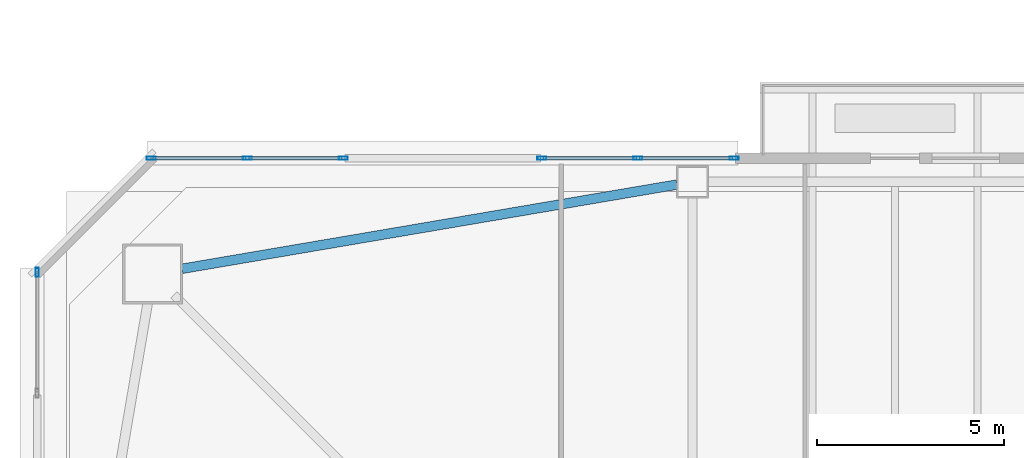
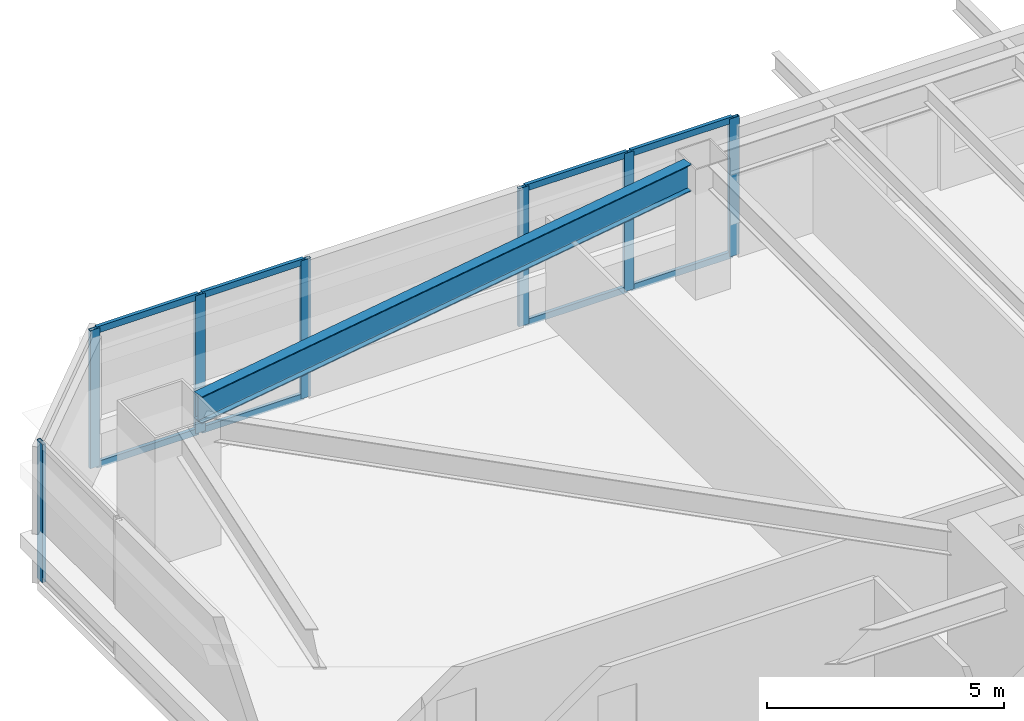
# One storey, part 15 of 51: 15 members, 1 beam, 3 elements without a shape of their own.
"""IFC4 building model written with IfcOpenShell, lengths in metres."""

from ifc_helpers import new_model, si_unit, direction, frame, origin, origin_2d, place, context, subcontext, project, spatial, hollow_rectangle, i_section, extrude, material, material_profile, profile_set, type_object, element, aggregate, save


model = new_model("IFC4")

# Units and contexts
model_context = context("Model", 3, precision=1e-05, world=origin(), true_north=direction((0.0, 1.0)))
body_context = subcontext(model_context, "Body", "Model", "MODEL_VIEW")
ifc_project = project(units=[si_unit("LENGTHUNIT", "METRE"), si_unit("AREAUNIT", "SQUARE_METRE"), si_unit("VOLUMEUNIT", "CUBIC_METRE"), si_unit("PLANEANGLEUNIT", "RADIAN"), si_unit("MASSUNIT", "GRAM", prefix="KILO")], contexts=[model_context])

# Site, building, storey
site_placement = place(None, origin())
site = spatial("IfcSite", under=ifc_project, at=site_placement, CompositionType="ELEMENT")
building_placement = place(site_placement, origin())
building = spatial("IfcBuilding", under=site, at=building_placement, Name="Tashvorn Skyway Center", CompositionType="ELEMENT")
storey_placement = place(building_placement, frame((0.0, 0.0, 49.449951171875)))
storey = spatial("IfcBuildingStorey", under=building, at=storey_placement, Name="L12", CompositionType="ELEMENT", Elevation=49.449951171875)

# Beam
ifc_material_1 = material(Name="Steel ASTM A992 Grade 50", Category="steel")
ifc_material_profile_1 = material_profile(ifc_material_1, i_section(OverallWidth=0.256103515625, OverallDepth=0.693115234375, WebThickness=0.014404296875, FlangeThickness=0.023681640625, at=origin_2d()), Name="W27X114")
ifc_profile_set_1 = profile_set([ifc_material_profile_1], Name="Steel ASTM A992 Grade 50")
beam_type = type_object("IfcBeamType", Name="BM-SPANDREL-W27X114", PredefinedType="SPANDREL", material=ifc_profile_set_1)
beam_placement = place(storey_placement, frame((36.18603515625, 54.179443359375, 3.003662109375), z_axis=(-0.985835025551, -0.16771792509, 0.0), x_axis=(0.16771792509, -0.985835025551, 0.0)))
element("IfcBeam", 1, at=beam_placement, inside=storey, type_object=beam_type, Name="Tower 1 L12 Spandrel Beam 09", PredefinedType="SPANDREL", context=body_context, shape_type="SweptSolid", body=[
    extrude(i_section(OverallWidth=0.256103515625, OverallDepth=0.693115234375, WebThickness=0.014404296875, FlangeThickness=0.023681640625, at=origin_2d()), origin(), (0.0, 0.0, 1.0), 13.39208984375),
])

# Curtain wall, member
ifc_material_2 = material(Name="Thermally broken bronze-anodized aluminium 6063-T6", Category="aluminium")
curtain_wall_type = type_object("IfcCurtainWallType", Name="CW-CW-Z1", PredefinedType="NOTDEFINED", material=ifc_material_2)
curtain_wall_1_placement = place(storey_placement, origin())
curtain_wall_1 = element("IfcCurtainWall", 2, at=curtain_wall_1_placement, inside=storey, type_object=curtain_wall_type, Name="Tower 1 L12 West Unitised Curtain Wall Glazing Group 3", PredefinedType="NOTDEFINED")
ifc_material_profile_2 = material_profile(ifc_material_2, hollow_rectangle(XDim=0.0849609375, YDim=0.239990234375, WallThickness=0.0048828125, at=origin_2d()), Name="ALU-MULL-85x240")
ifc_profile_set_2 = profile_set([ifc_material_profile_2], Name="Thermally broken bronze-anodized aluminium 6063-T6")
member_type_1 = type_object("IfcMemberType", Name="CWM-CW-Z1", PredefinedType="MULLION", material=ifc_profile_set_2)
member_1_placement = place(storey_placement, frame((19.1201171875, 51.83740234375, 0.0), z_axis=(0.0, 0.0, 1.0), x_axis=(-1.0, 0.0, 0.0)))
member_1 = element("IfcMember", 3, at=member_1_placement, type_object=member_type_1, Name="CW-Z1 mullion 2", PredefinedType="MULLION", context=body_context, shape_type="SweptSolid", body=[
    extrude(hollow_rectangle(XDim=0.0849609375, YDim=0.239990234375, WallThickness=0.0048828125, at=origin_2d()), origin(), (0.0, 0.0, 1.0), 3.550048828125),
])
aggregate(curtain_wall_1, [member_1])

# Curtain wall, members
curtain_wall_2_placement = place(storey_placement, origin())
curtain_wall_2 = element("IfcCurtainWall", 4, at=curtain_wall_2_placement, inside=storey, type_object=curtain_wall_type, Name="Tower 1 L12 North Curtain Wall L Glazing Group 1", PredefinedType="NOTDEFINED")
member_2_placement = place(storey_placement, frame((22.16259765625, 54.8798828125, 0.0), z_axis=(0.0, 0.0, 1.0), x_axis=(0.0, 1.0, 0.0)))
member_2 = element("IfcMember", 5, at=member_2_placement, type_object=member_type_1, Name="CW-Z1 mullion 1", PredefinedType="MULLION", context=body_context, shape_type="SweptSolid", body=[
    extrude(hollow_rectangle(XDim=0.0849609375, YDim=0.239990234375, WallThickness=0.0048828125, at=origin_2d()), origin(), (0.0, 0.0, 1.0), 3.550048828125),
])
member_3_placement = place(storey_placement, frame((24.72509765625, 54.8798828125, 0.0), z_axis=(0.0, 0.0, 1.0), x_axis=(0.0, 1.0, 0.0)))
member_3 = element("IfcMember", 6, at=member_3_placement, type_object=member_type_1, Name="CW-Z1 mullion 2", PredefinedType="MULLION", context=body_context, shape_type="SweptSolid", body=[
    extrude(hollow_rectangle(XDim=0.0849609375, YDim=0.239990234375, WallThickness=0.0048828125, at=origin_2d()), origin(), (0.0, 0.0, 1.0), 3.550048828125),
])
member_4_placement = place(storey_placement, frame((27.28759765625, 54.8798828125, 0.0), z_axis=(0.0, 0.0, 1.0), x_axis=(0.0, 1.0, 0.0)))
member_4 = element("IfcMember", 7, at=member_4_placement, type_object=member_type_1, Name="CW-Z1 mullion 3", PredefinedType="MULLION", context=body_context, shape_type="SweptSolid", body=[
    extrude(hollow_rectangle(XDim=0.0849609375, YDim=0.239990234375, WallThickness=0.0048828125, at=origin_2d()), origin(), (0.0, 0.0, 1.0), 3.550048828125),
])

curtain_wall_3_placement = place(storey_placement, origin())
curtain_wall_3 = element("IfcCurtainWall", 8, at=curtain_wall_3_placement, inside=storey, type_object=curtain_wall_type, Name="Tower 1 L12 North Curtain Wall L Glazing Group 2", PredefinedType="NOTDEFINED")
member_5_placement = place(storey_placement, frame((32.58251953125, 54.8798828125, 0.0), z_axis=(0.0, 0.0, 1.0), x_axis=(0.0, 1.0, 0.0)))
member_5 = element("IfcMember", 9, at=member_5_placement, type_object=member_type_1, Name="CW-Z1 mullion 1", PredefinedType="MULLION", context=body_context, shape_type="SweptSolid", body=[
    extrude(hollow_rectangle(XDim=0.0849609375, YDim=0.239990234375, WallThickness=0.0048828125, at=origin_2d()), origin(), (0.0, 0.0, 1.0), 3.550048828125),
])
member_6_placement = place(storey_placement, frame((35.14501953125, 54.8798828125, 0.0), z_axis=(0.0, 0.0, 1.0), x_axis=(0.0, 1.0, 0.0)))
member_6 = element("IfcMember", 10, at=member_6_placement, type_object=member_type_1, Name="CW-Z1 mullion 2", PredefinedType="MULLION", context=body_context, shape_type="SweptSolid", body=[
    extrude(hollow_rectangle(XDim=0.0849609375, YDim=0.239990234375, WallThickness=0.0048828125, at=origin_2d()), origin(), (0.0, 0.0, 1.0), 3.550048828125),
])
member_7_placement = place(storey_placement, frame((37.70751953125, 54.8798828125, 0.0), z_axis=(0.0, 0.0, 1.0), x_axis=(0.0, 1.0, 0.0)))
member_7 = element("IfcMember", 11, at=member_7_placement, type_object=member_type_1, Name="CW-Z1 mullion 3", PredefinedType="MULLION", context=body_context, shape_type="SweptSolid", body=[
    extrude(hollow_rectangle(XDim=0.0849609375, YDim=0.239990234375, WallThickness=0.0048828125, at=origin_2d()), origin(), (0.0, 0.0, 1.0), 3.550048828125),
])

# Member
ifc_material_profile_3 = material_profile(ifc_material_2, hollow_rectangle(XDim=0.0849609375, YDim=0.1650390625, WallThickness=0.0048828125, at=origin_2d()), Name="ALU-TRAN-85x165")
ifc_profile_set_3 = profile_set([ifc_material_profile_3], Name="Thermally broken bronze-anodized aluminium 6063-T6")
member_type_2 = type_object("IfcMemberType", Name="CWT-CW-Z1", PredefinedType="USERDEFINED", material=ifc_profile_set_3)
member_8_placement = place(storey_placement, frame((22.205078125, 54.8798828125, 0.04248046875), z_axis=(1.0, 0.0, 0.0), x_axis=(0.0, 1.0, 0.0)))
member_8 = element("IfcMember", 12, at=member_8_placement, type_object=member_type_2, Name="CW-Z1 transom 1.1", ObjectType="TRANSOM", PredefinedType="USERDEFINED", context=body_context, shape_type="SweptSolid", body=[
    extrude(hollow_rectangle(XDim=0.0849609375, YDim=0.1650390625, WallThickness=0.0048828125, at=origin_2d()), origin(), (0.0, 0.0, 1.0), 2.4775390625),
])

member_9_placement = place(storey_placement, frame((22.205078125, 54.8798828125, 3.507568359375), z_axis=(1.0, 0.0, 0.0), x_axis=(0.0, 1.0, 0.0)))
member_9 = element("IfcMember", 13, at=member_9_placement, type_object=member_type_2, Name="CW-Z1 transom 1.2", ObjectType="TRANSOM", PredefinedType="USERDEFINED", context=body_context, shape_type="SweptSolid", body=[
    extrude(hollow_rectangle(XDim=0.0849609375, YDim=0.1650390625, WallThickness=0.0048828125, at=origin_2d()), origin(), (0.0, 0.0, 1.0), 2.4775390625),
])

member_10_placement = place(storey_placement, frame((24.767578125, 54.8798828125, 0.04248046875), z_axis=(1.0, 0.0, 0.0), x_axis=(0.0, 1.0, 0.0)))
member_10 = element("IfcMember", 14, at=member_10_placement, type_object=member_type_2, Name="CW-Z1 transom 2.1", ObjectType="TRANSOM", PredefinedType="USERDEFINED", context=body_context, shape_type="SweptSolid", body=[
    extrude(hollow_rectangle(XDim=0.0849609375, YDim=0.1650390625, WallThickness=0.0048828125, at=origin_2d()), origin(), (0.0, 0.0, 1.0), 2.4775390625),
])

member_11_placement = place(storey_placement, frame((24.767578125, 54.8798828125, 3.507568359375), z_axis=(1.0, 0.0, 0.0), x_axis=(0.0, 1.0, 0.0)))
member_11 = element("IfcMember", 15, at=member_11_placement, type_object=member_type_2, Name="CW-Z1 transom 2.2", ObjectType="TRANSOM", PredefinedType="USERDEFINED", context=body_context, shape_type="SweptSolid", body=[
    extrude(hollow_rectangle(XDim=0.0849609375, YDim=0.1650390625, WallThickness=0.0048828125, at=origin_2d()), origin(), (0.0, 0.0, 1.0), 2.4775390625),
])

aggregate(curtain_wall_2, [member_2, member_3, member_4, member_8, member_9, member_10, member_11])

member_12_placement = place(storey_placement, frame((32.625, 54.8798828125, 0.04248046875), z_axis=(1.0, 0.0, 0.0), x_axis=(0.0, 1.0, 0.0)))
member_12 = element("IfcMember", 16, at=member_12_placement, type_object=member_type_2, Name="CW-Z1 transom 1.1", ObjectType="TRANSOM", PredefinedType="USERDEFINED", context=body_context, shape_type="SweptSolid", body=[
    extrude(hollow_rectangle(XDim=0.0849609375, YDim=0.1650390625, WallThickness=0.0048828125, at=origin_2d()), origin(), (0.0, 0.0, 1.0), 2.4775390625),
])

member_13_placement = place(storey_placement, frame((32.625, 54.8798828125, 3.507568359375), z_axis=(1.0, 0.0, 0.0), x_axis=(0.0, 1.0, 0.0)))
member_13 = element("IfcMember", 17, at=member_13_placement, type_object=member_type_2, Name="CW-Z1 transom 1.2", ObjectType="TRANSOM", PredefinedType="USERDEFINED", context=body_context, shape_type="SweptSolid", body=[
    extrude(hollow_rectangle(XDim=0.0849609375, YDim=0.1650390625, WallThickness=0.0048828125, at=origin_2d()), origin(), (0.0, 0.0, 1.0), 2.4775390625),
])

member_14_placement = place(storey_placement, frame((35.1875, 54.8798828125, 0.04248046875), z_axis=(1.0, 0.0, 0.0), x_axis=(0.0, 1.0, 0.0)))
member_14 = element("IfcMember", 18, at=member_14_placement, type_object=member_type_2, Name="CW-Z1 transom 2.1", ObjectType="TRANSOM", PredefinedType="USERDEFINED", context=body_context, shape_type="SweptSolid", body=[
    extrude(hollow_rectangle(XDim=0.0849609375, YDim=0.1650390625, WallThickness=0.0048828125, at=origin_2d()), origin(), (0.0, 0.0, 1.0), 2.4775390625),
])

member_15_placement = place(storey_placement, frame((35.1875, 54.8798828125, 3.507568359375), z_axis=(1.0, 0.0, 0.0), x_axis=(0.0, 1.0, 0.0)))
member_15 = element("IfcMember", 19, at=member_15_placement, type_object=member_type_2, Name="CW-Z1 transom 2.2", ObjectType="TRANSOM", PredefinedType="USERDEFINED", context=body_context, shape_type="SweptSolid", body=[
    extrude(hollow_rectangle(XDim=0.0849609375, YDim=0.1650390625, WallThickness=0.0048828125, at=origin_2d()), origin(), (0.0, 0.0, 1.0), 2.4775390625),
])

aggregate(curtain_wall_3, [member_5, member_6, member_7, member_12, member_13, member_14, member_15])

save(model, "model.ifc")
